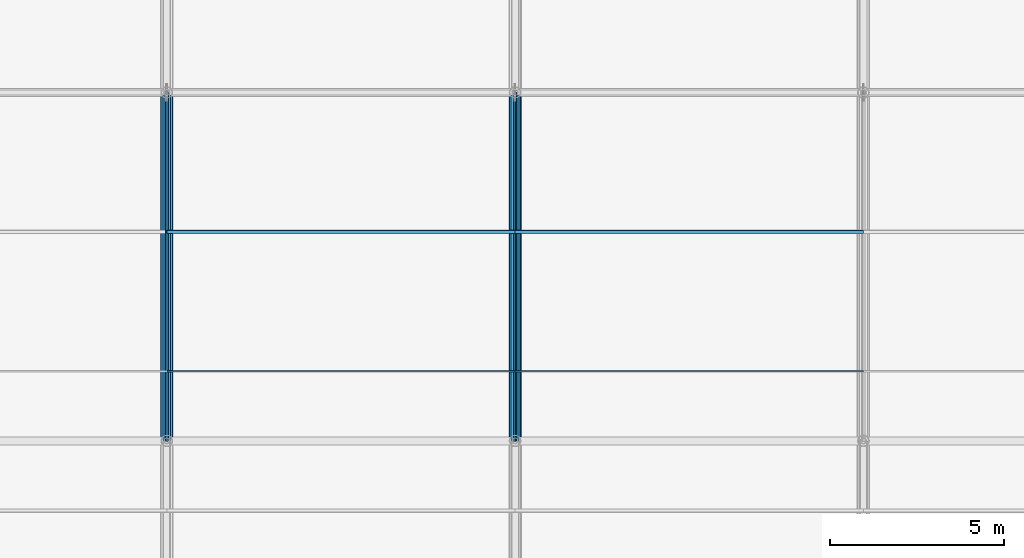
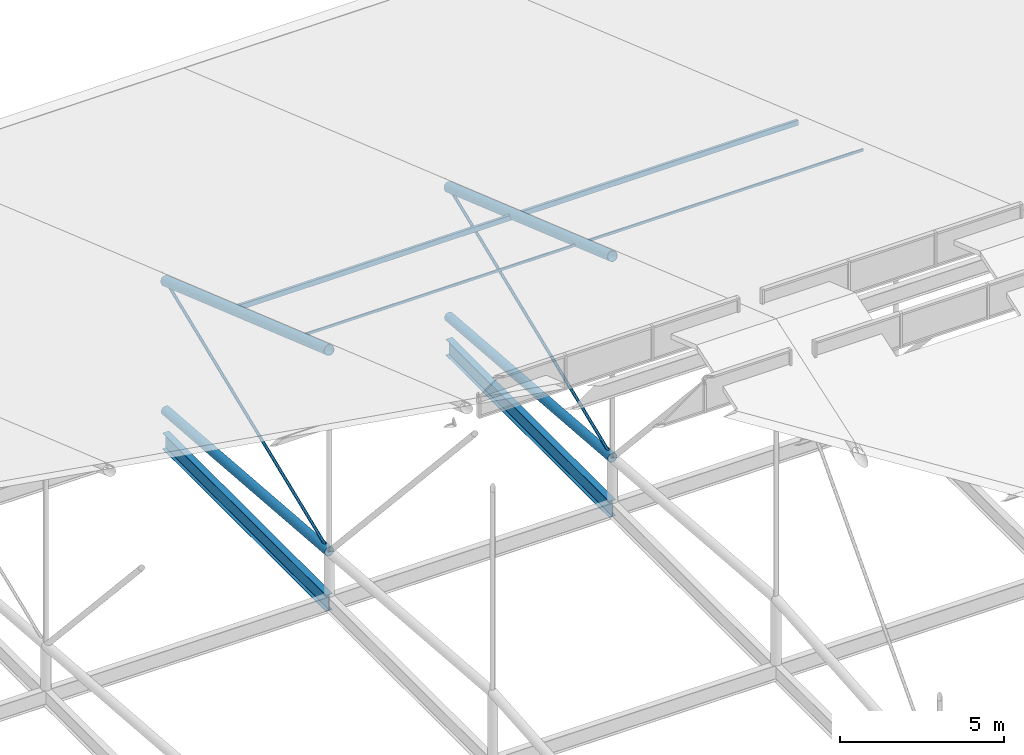
# One storey, part 43 of 93: 10 members, 2 beams.
"""IFC4 building model written with IfcOpenShell, lengths in metres."""

import ifcopenshell
import ifcopenshell.guid

model = None  # the IFC model being written
_history = None  # IfcOwnerHistory: only IFC2X3 demands one
_inside = {}  # id of a spatial element -> (the spatial element, [elements in it])
_under = {}  # id of a project, library or spatial element -> (it, [spatial elements below it])
_declared = {}  # id of a project -> (the project, [libraries it declares])
_typed = {}  # id of a type object -> (the type object, [elements of that type])
_made_of = {}  # id of a material, layer set ... -> (it, [elements and type objects made of it])


def new_model(schema):
    """Start an empty IFC model of exactly this schema.

    Asked for "IFC4X3", IfcOpenShell would pick the latest addendum, in which some entities
    have other attributes; the version numbers below select the first issue.
    IFC2X3 requires an IfcOwnerHistory on every rooted entity: one is made here for all.
    """
    global model, _history
    if schema == "IFC4X3":
        model = ifcopenshell.file(schema_version=(4, 3, 0, 0))
    else:
        model = ifcopenshell.file(schema=schema)
    _inside.clear()
    _under.clear()
    _declared.clear()
    _typed.clear()
    _made_of.clear()
    _history = None
    if model.schema == "IFC2X3":
        org = make("IfcOrganization", Name="unknown")
        user = make(
            "IfcPersonAndOrganization",
            ThePerson=make("IfcPerson", FamilyName="unknown"),
            TheOrganization=org,
        )
        app = make(
            "IfcApplication",
            ApplicationDeveloper=org,
            Version="unknown",
            ApplicationFullName="unknown",
            ApplicationIdentifier="unknown",
        )
        _history = make(
            "IfcOwnerHistory",
            OwningUser=user,
            OwningApplication=app,
            ChangeAction="ADDED",
            CreationDate=0,
        )
    return model


def make(cls, **values):
    """One entity of the class cls with the attributes given. An attribute that is None is left unset."""
    return model.create_entity(
        cls, **{name: value for name, value in values.items() if value is not None}
    )


def rooted(cls, **values):
    """An entity with a GlobalId (a new one), such as an element, a storey or a relation."""
    return make(cls, GlobalId=ifcopenshell.guid.new(), OwnerHistory=_history, **values)


def si_unit(unit_type, name, prefix=None):
    """IfcSIUnit, for example si_unit("LENGTHUNIT", "METRE", prefix="MILLI")."""
    return make("IfcSIUnit", UnitType=unit_type, Prefix=prefix, Name=name)


def derived_unit(unit_type, elements):
    """IfcDerivedUnit: a product of units, each with its exponent."""
    return make(
        "IfcDerivedUnit",
        Elements=[
            make("IfcDerivedUnitElement", Unit=unit, Exponent=power)
            for unit, power in elements
        ],
        UnitType=unit_type,
    )


def assignment(units):
    """IfcUnitAssignment: the units of a project."""
    return None if units is None else make("IfcUnitAssignment", Units=units)


def point(xyz):
    """IfcCartesianPoint."""
    return None if xyz is None else make("IfcCartesianPoint", Coordinates=xyz)


def direction(xyz):
    """IfcDirection."""
    return None if xyz is None else make("IfcDirection", DirectionRatios=xyz)


def frame(location, z_axis=None, x_axis=None):
    """IfcAxis2Placement3D, a coordinate frame: its origin and axes. An axis left out is left unset."""
    return make(
        "IfcAxis2Placement3D",
        Location=point(location),
        Axis=direction(z_axis),
        RefDirection=direction(x_axis),
    )


def frame_2d(location, x_axis=None):
    """IfcAxis2Placement2D, a coordinate frame in the plane: its origin and x axis."""
    return make(
        "IfcAxis2Placement2D", Location=point(location), RefDirection=direction(x_axis)
    )


def origin():
    """The frame at (0, 0, 0) with its axes left unset."""
    return frame((0.0, 0.0, 0.0))


def origin_2d_with_axis():
    """The frame at (0, 0) in the plane with the x axis (1, 0) written out."""
    return frame_2d((0.0, 0.0), x_axis=(1.0, 0.0))


def place(relative_to, where):
    """IfcLocalPlacement: puts the frame where relative to a parent placement (None: the world)."""
    return make(
        "IfcLocalPlacement", PlacementRelTo=relative_to, RelativePlacement=where
    )


def context(
    kind, dimensions, precision=None, world=None, true_north=None, identifier=None
):
    """IfcGeometricRepresentationContext, for example the 3D "Model" context."""
    return make(
        "IfcGeometricRepresentationContext",
        ContextIdentifier=identifier,
        ContextType=kind,
        CoordinateSpaceDimension=dimensions,
        Precision=precision,
        WorldCoordinateSystem=world,
        TrueNorth=true_north,
    )


def subcontext(parent, identifier, kind, view, scale=None):
    """IfcGeometricRepresentationSubContext, for example "Body" below "Model"."""
    return make(
        "IfcGeometricRepresentationSubContext",
        ContextIdentifier=identifier,
        ContextType=kind,
        ParentContext=parent,
        TargetScale=scale,
        TargetView=view,
    )


def project(units=None, contexts=None):
    """IfcProject with its units and contexts."""
    return rooted(
        "IfcProject",
        Name="project",
        RepresentationContexts=contexts,
        UnitsInContext=assignment(units),
    )


def spatial(cls, under=None, at=None, **own):
    """A site, building, storey or space (cls), placed at a placement, below another one or the project."""
    s = rooted(cls, ObjectPlacement=at, **own)
    if under is not None:
        _under.setdefault(under.id(), (under, []))[1].append(s)
    return s


def profile(cls, at=None, kind="AREA", **sizes):
    """A parametric profile (cls). Its sizes go by their IFC names, for example OverallWidth=200.0."""
    return make(cls, ProfileType=kind, Position=at, **sizes)


def hollow_rectangle(**sizes):
    """IfcRectangleHollowProfileDef."""
    return profile("IfcRectangleHollowProfileDef", **sizes)


def hollow_circle(**sizes):
    """IfcCircleHollowProfileDef."""
    return profile("IfcCircleHollowProfileDef", **sizes)


def i_section(**sizes):
    """IfcIShapeProfileDef."""
    return profile("IfcIShapeProfileDef", **sizes)


def extrude(swept, where, along, depth):
    """IfcExtrudedAreaSolid: the profile swept, set in the frame where, extruded along a direction by depth."""
    return make(
        "IfcExtrudedAreaSolid",
        SweptArea=swept,
        Position=where,
        ExtrudedDirection=direction(along),
        Depth=depth,
    )


def shape(context_of_items, identifier, shape_type, items):
    """IfcShapeRepresentation: the items that make up one representation, for example the "Body"."""
    return make(
        "IfcShapeRepresentation",
        ContextOfItems=context_of_items,
        RepresentationIdentifier=identifier,
        RepresentationType=shape_type,
        Items=items,
    )


def material(Name=None, Category=None):
    """IfcMaterial."""
    return make("IfcMaterial", Name=Name, Category=Category)


def material_profile(
    of_material, cross_section, Name=None, Category=None, Priority=None
):
    """IfcMaterialProfile: a cross section and its material."""
    return make(
        "IfcMaterialProfile",
        Name=Name,
        Material=of_material,
        Profile=cross_section,
        Priority=Priority,
        Category=Category,
    )


def profile_set(profiles, Name=None, composite=None):
    """IfcMaterialProfileSet."""
    return make(
        "IfcMaterialProfileSet",
        Name=Name,
        MaterialProfiles=profiles,
        CompositeProfile=composite,
    )


def made_of(thing, what):
    """Note that an element or type object is made of a material, layer set ...; save() writes the relation."""
    if what is not None:
        _made_of.setdefault(what.id(), (what, []))[1].append(thing)
    return thing


def type_object(cls, material=None, **own):
    """A type object (cls), such as IfcWallType, which elements share."""
    return made_of(rooted(cls, **own), material)


def element(
    cls,
    number,
    at=None,
    inside=None,
    cuts=None,
    type_object=None,
    material=None,
    context=None,
    identifier="Body",
    shape_type=None,
    held_by="IfcProductDefinitionShape",
    body=None,
    shapes=None,
    **own,
):
    """One element of the class cls, such as IfcWall. Its Tag is "e" and its number.

    at: its placement. inside: the storey or other place that contains it. cuts: it is an
    opening in that element (IfcRelVoidsElement). A single representation is given by context,
    identifier, shape_type and body (its items); several are given by shapes. held_by: the class
    of the entity that holds the representations. save() writes the other relations.
    """
    e = rooted(cls, Tag="e%d" % number, ObjectPlacement=at, **own)
    if body is not None:
        shapes = [shape(context, identifier, shape_type, body)]
    if shapes is not None:
        e.Representation = make(held_by, Representations=shapes)
    if inside is not None:
        _inside.setdefault(inside.id(), (inside, []))[1].append(e)
    if cuts is not None:
        rooted(
            "IfcRelVoidsElement", RelatingBuildingElement=cuts, RelatedOpeningElement=e
        )
    if type_object is not None:
        _typed.setdefault(type_object.id(), (type_object, []))[1].append(e)
    return made_of(e, material)


def aggregate(whole, parts):
    """IfcRelAggregates: a whole, such as a stair, and the parts it consists of."""
    return rooted("IfcRelAggregates", RelatingObject=whole, RelatedObjects=parts)


def save(model, path):
    """Write the relations noted so far, then the file.

    IfcRelAggregates (storeys below a building ...), IfcRelContainedInSpatialStructure (elements
    in a storey), IfcRelDefinesByType, IfcRelAssociatesMaterial and IfcRelDeclares: one each for
    every whole, place, type object, material and project.
    """
    for whole, parts in _under.values():
        aggregate(whole, parts)
    for where, things in _inside.values():
        rooted(
            "IfcRelContainedInSpatialStructure",
            RelatedElements=things,
            RelatingStructure=where,
        )
    for kind, things in _typed.values():
        rooted("IfcRelDefinesByType", RelatedObjects=things, RelatingType=kind)
    for what, things in _made_of.values():
        rooted("IfcRelAssociatesMaterial", RelatedObjects=things, RelatingMaterial=what)
    for by, libraries in _declared.values():
        rooted("IfcRelDeclares", RelatingContext=by, RelatedDefinitions=libraries)
    model.write(path)


model = new_model("IFC4")

# Units and contexts
model_context = context("Model", 3, precision=1e-05, world=origin(), true_north=direction((0.0, 1.0)))
body_context = subcontext(model_context, "Body", "Model", "MODEL_VIEW")
ifc_project = project(units=[si_unit("LENGTHUNIT", "METRE"), si_unit("AREAUNIT", "SQUARE_METRE"), si_unit("VOLUMEUNIT", "CUBIC_METRE"), si_unit("PLANEANGLEUNIT", "RADIAN"), si_unit("MASSUNIT", "GRAM", prefix="KILO"), derived_unit("THERMALTRANSMITTANCEUNIT", [(si_unit("POWERUNIT", "WATT"), 1), (si_unit("LENGTHUNIT", "METRE"), -2), (si_unit("THERMODYNAMICTEMPERATUREUNIT", "KELVIN"), -1)])], contexts=[model_context])

# Site, building, storey
site_placement = place(None, origin())
site = spatial("IfcSite", under=ifc_project, at=site_placement, CompositionType="ELEMENT")
building_placement = place(site_placement, origin())
building = spatial("IfcBuilding", under=site, at=building_placement, Name="Cinnabar Yard Market Hall", CompositionType="ELEMENT")
storey_placement = place(building_placement, frame((0.0, 0.0, 23.800048828125)))
storey = spatial("IfcBuildingStorey", under=building, at=storey_placement, Name="ROOF", CompositionType="ELEMENT", Elevation=23.800048828125)

# Beams
ifc_material_1 = material(Name="Steel Grade 300 (300 MPa)", Category="steel")
ifc_material_profile_1 = material_profile(ifc_material_1, i_section(OverallWidth=0.22802734375, OverallDepth=0.60205078125, WebThickness=0.010498046875, FlangeThickness=0.014892578125, FilletRadius=0.013916015625, at=origin_2d_with_axis()), Name="610UB101")
ifc_profile_set_1 = profile_set([ifc_material_profile_1], Name="Steel Grade 300 (300 MPa)")
beam_type = type_object("IfcBeamType", Name="BM-B02", PredefinedType="BEAM", material=ifc_profile_set_1)
for number, where, z_axis, x_axis, name in (
    (1, (106.0, 54.0, -9.700927734375), (0.0, 1.0, 0.0), (-1.0, 0.0, 0.0), "Hall Transverse Tie Girder 00427"),
    (2, (116.0, 54.0, -9.700927734375), (0.0, 1.0, 0.0), (-1.0, 0.0, 0.0), "Hall Transverse Tie Girder 00431"),
):
    element("IfcBeam", number, at=place(storey_placement, frame(where, z_axis=z_axis, x_axis=x_axis)), inside=storey, type_object=beam_type, Name=name, PredefinedType="BEAM", context=body_context, shape_type="SweptSolid", body=[
        extrude(i_section(OverallWidth=0.22802734375, OverallDepth=0.60205078125, WebThickness=0.010498046875, FlangeThickness=0.014892578125, FilletRadius=0.013916015625, at=origin_2d_with_axis()), origin(), (0.0, 0.0, 1.0), 10.0),
    ])

# Members
ifc_material_2 = material(Name="Cold-formed steel C350L0", Category="steel")
ifc_material_profile_2 = material_profile(ifc_material_2, hollow_circle(Radius=0.161865234375, WallThickness=0.009521484375, at=origin_2d_with_axis()), Name="323.9x9.5CHS")
ifc_profile_set_2 = profile_set([ifc_material_profile_2], Name="Cold-formed steel C350L0")
member_type_1 = type_object("IfcMemberType", Name="MB-BC01", PredefinedType="CHORD", material=ifc_profile_set_2)
for number, where, z_axis, x_axis, name in (
    (3, (106.0, 54.0, -7.800048828125), (0.0, 0.99681489162, -0.07975005859), (-1.0, 0.0, 0.0), "Hall Truss 106 Bottom Chord 5"),
    (4, (116.0, 54.0, -7.800048828125), (0.0, 0.99681489162, -0.07975005859), (-1.0, 0.0, 0.0), "Hall Truss 116 Bottom Chord 5"),
):
    element("IfcMember", number, at=place(storey_placement, frame(where, z_axis=z_axis, x_axis=x_axis)), inside=storey, type_object=member_type_1, Name=name, PredefinedType="CHORD", context=body_context, shape_type="SweptSolid", body=[
        extrude(hollow_circle(Radius=0.161865234375, WallThickness=0.009521484375, at=origin_2d_with_axis()), origin(), (0.0, 0.0, 1.0), 10.031982421875),
    ])
ifc_material_profile_3 = material_profile(ifc_material_2, hollow_circle(Radius=0.05078125, WallThickness=0.0048828125, at=origin_2d_with_axis()), Name="101.6x5.0CHS")
ifc_profile_set_3 = profile_set([ifc_material_profile_3], Name="Cold-formed steel C350L0")
member_type_2 = type_object("IfcMemberType", Name="MB-DG05", PredefinedType="BRACE", material=ifc_profile_set_3)
for number, where, z_axis, x_axis, name in (
    (5, (106.0, 54.0, -7.800048828125), (0.0, 0.927230348791, 0.374491495607), (-1.0, 0.0, 0.0), "Hall Truss 106 Diagonal 5"),
    (6, (116.0, 54.0, -7.800048828125), (0.0, 0.927230348791, 0.374491495607), (-1.0, 0.0, 0.0), "Hall Truss 116 Diagonal 5"),
):
    element("IfcMember", number, at=place(storey_placement, frame(where, z_axis=z_axis, x_axis=x_axis)), inside=storey, type_object=member_type_2, Name=name, PredefinedType="BRACE", context=body_context, shape_type="SweptSolid", body=[
        extrude(hollow_circle(Radius=0.05078125, WallThickness=0.0048828125, at=origin_2d_with_axis()), origin(), (0.0, 0.0, 1.0), 10.784912109375),
    ])
ifc_material_profile_4 = material_profile(ifc_material_2, hollow_rectangle(XDim=0.10009765625, YDim=0.199951171875, WallThickness=0.006103515625, InnerFilletRadius=0.006103515625, OuterFilletRadius=0.011962890625, at=origin_2d_with_axis()), Name="200x100x6.0RHS")
ifc_profile_set_4 = profile_set([ifc_material_profile_4], Name="Cold-formed steel C350L0")
member_type_3 = type_object("IfcMemberType", Name="MB-PU01", PredefinedType="PURLIN", material=ifc_profile_set_4)
for number, where, z_axis, x_axis, name in (
    (7, (106.0, 60.0, -2.4091796875), (1.0, 0.0, 0.0), (0.0, 1.0, 0.0), "Hall Roof Purlin Y60 X106"),
    (8, (116.0, 60.0, -2.4091796875), (1.0, 0.0, 0.0), (0.0, 1.0, 0.0), "Hall Roof Purlin Y60 X116"),
):
    element("IfcMember", number, at=place(storey_placement, frame(where, z_axis=z_axis, x_axis=x_axis)), inside=storey, type_object=member_type_3, Name=name, PredefinedType="PURLIN", context=body_context, shape_type="SweptSolid", body=[
        extrude(hollow_rectangle(XDim=0.10009765625, YDim=0.199951171875, WallThickness=0.006103515625, InnerFilletRadius=0.006103515625, OuterFilletRadius=0.011962890625, at=origin_2d_with_axis()), origin(), (0.0, 0.0, 1.0), 10.0),
    ])
ifc_material_profile_5 = material_profile(ifc_material_2, hollow_rectangle(XDim=0.050048828125, YDim=0.10009765625, WallThickness=0.00390625, InnerFilletRadius=0.00390625, OuterFilletRadius=0.008056640625, at=origin_2d_with_axis()), Name="100x50x4.0RHS")
ifc_profile_set_5 = profile_set([ifc_material_profile_5], Name="Cold-formed steel C350L0")
member_type_4 = type_object("IfcMemberType", Name="MB-PU10", PredefinedType="PURLIN", material=ifc_profile_set_5)
for number, where, z_axis, x_axis, name in (
    (9, (106.0, 56.0, -1.016845703125), (1.0, 0.0, 0.0), (0.0, 1.0, 0.0), "Hall Roof Purlin Y56 X106"),
    (10, (116.0, 56.0, -1.016845703125), (1.0, 0.0, 0.0), (0.0, 1.0, 0.0), "Hall Roof Purlin Y56 X116"),
):
    element("IfcMember", number, at=place(storey_placement, frame(where, z_axis=z_axis, x_axis=x_axis)), inside=storey, type_object=member_type_4, Name=name, PredefinedType="PURLIN", context=body_context, shape_type="SweptSolid", body=[
        extrude(hollow_rectangle(XDim=0.050048828125, YDim=0.10009765625, WallThickness=0.00390625, InnerFilletRadius=0.00390625, OuterFilletRadius=0.008056640625, at=origin_2d_with_axis()), origin(), (0.0, 0.0, 1.0), 10.0),
    ])
ifc_material_profile_6 = material_profile(ifc_material_2, hollow_circle(Radius=0.177734375, WallThickness=0.0126953125, at=origin_2d_with_axis()), Name="355.6x12.7CHS")
ifc_profile_set_6 = profile_set([ifc_material_profile_6], Name="Cold-formed steel C350L0")
member_type_5 = type_object("IfcMemberType", Name="MB-TC01", PredefinedType="CHORD", material=ifc_profile_set_6)
for number, where, z_axis, x_axis, name in (
    (11, (106.0, 54.0, -0.28076171875), (0.0, 0.944432077625, -0.328706633267), (-1.0, 0.0, 0.0), "Hall Truss 106 Top Chord 5"),
    (12, (116.0, 54.0, -0.28076171875), (0.0, 0.944432077625, -0.328706633267), (-1.0, 0.0, 0.0), "Hall Truss 116 Top Chord 5"),
):
    element("IfcMember", number, at=place(storey_placement, frame(where, z_axis=z_axis, x_axis=x_axis)), inside=storey, type_object=member_type_5, Name=name, PredefinedType="CHORD", context=body_context, shape_type="SweptSolid", body=[
        extrude(hollow_circle(Radius=0.177734375, WallThickness=0.0126953125, at=origin_2d_with_axis()), origin(), (0.0, 0.0, 1.0), 10.58837890625),
    ])

save(model, "model.ifc")
